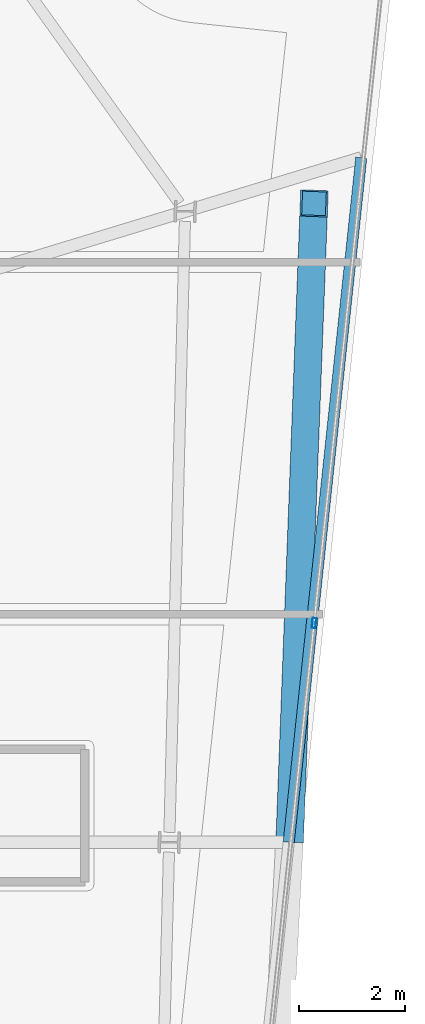
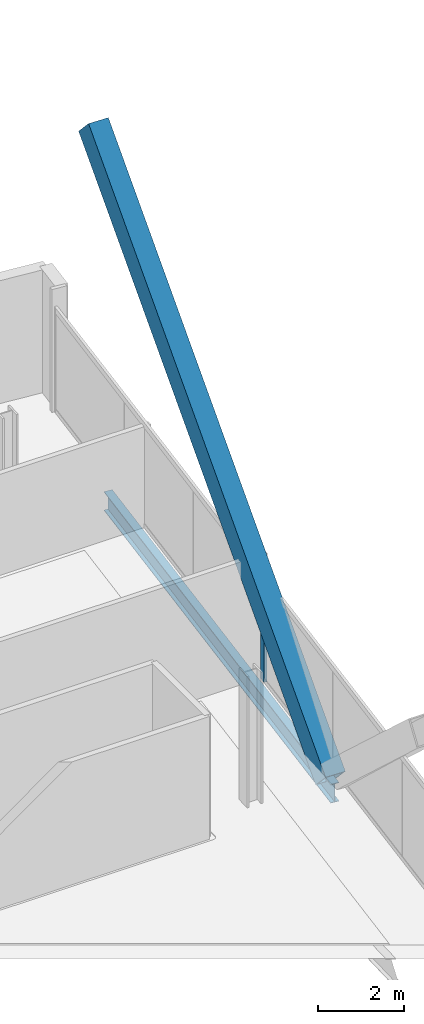
# One storey, part 11 of 24: 2 members, 1 beam, 1 element without a shape of its own.
"""IFC4 building model written with IfcOpenShell, lengths in metres."""

from ifc_helpers import new_model, si_unit, direction, frame, origin, origin_2d, place, context, subcontext, project, spatial, hollow_rectangle, i_section, extrude, material, material_profile, profile_set, type_object, element, aggregate, save


model = new_model("IFC4")

# Units and contexts
model_context = context("Model", 3, precision=1e-05, world=origin(), true_north=direction((0.0, 1.0)))
body_context = subcontext(model_context, "Body", "Model", "MODEL_VIEW")
ifc_project = project(units=[si_unit("LENGTHUNIT", "METRE"), si_unit("AREAUNIT", "SQUARE_METRE"), si_unit("VOLUMEUNIT", "CUBIC_METRE"), si_unit("PLANEANGLEUNIT", "RADIAN"), si_unit("MASSUNIT", "GRAM", prefix="KILO")], contexts=[model_context])

# Site, building, storey
site_placement = place(None, origin())
site = spatial("IfcSite", under=ifc_project, at=site_placement, CompositionType="ELEMENT")
building_placement = place(site_placement, origin())
building = spatial("IfcBuilding", under=site, at=building_placement, Name="Haldenkirk Collegiate Tower", CompositionType="ELEMENT")
storey_placement = place(building_placement, frame((0.0, 0.0, 310.199951171875)))
storey = spatial("IfcBuildingStorey", under=building, at=storey_placement, Name="L78", CompositionType="ELEMENT", Elevation=310.199951171875)

# Beam
ifc_material_1 = material(Name="Steel ASTM A992 Grade 50", Category="steel")
ifc_material_profile_1 = material_profile(ifc_material_1, i_section(OverallWidth=0.2099609375, OverallDepth=0.537109375, WebThickness=0.010986328125, FlangeThickness=0.017333984375, at=origin_2d()), Name="W21X68")
ifc_profile_set_1 = profile_set([ifc_material_profile_1], Name="Steel ASTM A992 Grade 50")
beam_type = type_object("IfcBeamType", Name="BM-SPANDREL-W21X68", PredefinedType="SPANDREL", material=ifc_profile_set_1)
beam_placement = place(storey_placement, frame((58.150390625, 25.496337890625, -0.528564453125), z_axis=(0.105380968542, 0.994431923999, 0.0), x_axis=(-0.994431923999, 0.105380968542, 0.0)))
element("IfcBeam", 1, at=beam_placement, inside=storey, type_object=beam_type, Name="L78 outer facade edge beam 1B", PredefinedType="SPANDREL", context=body_context, shape_type="SweptSolid", body=[
    extrude(i_section(OverallWidth=0.2099609375, OverallDepth=0.537109375, WebThickness=0.010986328125, FlangeThickness=0.017333984375, at=origin_2d()), origin(), (0.0, 0.0, 1.0), 12.996826171875),
])

# Curtain wall, member
ifc_material_2 = material(Name="Anodised architectural bronze aluminium", Category="aluminium")
curtain_wall_type = type_object("IfcCurtainWallType", Name="CW-SYS2-CONCAVE", PredefinedType="USERDEFINED", material=ifc_material_2)
curtain_wall_placement = place(storey_placement, origin())
curtain_wall = element("IfcCurtainWall", 2, at=curtain_wall_placement, inside=storey, type_object=curtain_wall_type, Name="L78 South concave recessed bronze-anodised curtain wall", ObjectType="UNITISED CURTAIN WALL", PredefinedType="USERDEFINED")
ifc_material_profile_2 = material_profile(ifc_material_2, hollow_rectangle(XDim=0.074951171875, YDim=0.18994140625, WallThickness=0.0048828125, at=origin_2d()), Name="CW-MUL-02")
ifc_profile_set_2 = profile_set([ifc_material_profile_2], Name="Anodised architectural bronze aluminium")
member_type_1 = type_object("IfcMemberType", Name="CW-MUL-02", PredefinedType="MULLION", material=ifc_profile_set_2)
member_1_placement = place(storey_placement, frame((58.629150390625, 29.63525390625, 0.0), z_axis=(0.0, 0.0, 1.0), x_axis=(0.994430496515, -0.105394438184, 0.0)))
member_1 = element("IfcMember", 3, at=member_1_placement, type_object=member_type_1, Name="CW-02 mullion 2", PredefinedType="MULLION", context=body_context, shape_type="SweptSolid", body=[
    extrude(hollow_rectangle(XDim=0.074951171875, YDim=0.18994140625, WallThickness=0.0048828125, at=origin_2d()), origin(), (0.0, 0.0, 1.0), 2.947998046875),
])
aggregate(curtain_wall, [member_1])

# Member
ifc_material_3 = material(Name="Steel ASTM A572 Grade 50", Category="steel")
ifc_material_profile_3 = material_profile(ifc_material_3, hollow_rectangle(XDim=0.52001953125, YDim=0.719970703125, WallThickness=0.035888671875, at=origin_2d()), Name="BOX720X520X36")
ifc_profile_set_3 = profile_set([ifc_material_profile_3], Name="Steel ASTM A572 Grade 50")
member_type_2 = type_object("IfcMemberType", Name="MBR-MEGABRACE-BOX720X520X36", PredefinedType="BRACE", material=ifc_profile_set_3)
member_2_placement = place(storey_placement, frame((58.176513671875, 25.743896484375, -0.27001953125), z_axis=(0.027645377516, 0.723910965035, 0.68933928352), x_axis=(-0.99927159984, 0.038161102612, 0.0)))
element("IfcMember", 4, at=member_2_placement, inside=storey, type_object=member_type_2, Name="Perimeter Mega Brace Z6 L78-L80 SR", PredefinedType="BRACE", context=body_context, shape_type="SweptSolid", body=[
    extrude(hollow_rectangle(XDim=0.52001953125, YDim=0.719970703125, WallThickness=0.035888671875, at=origin_2d()), origin(), (0.0, 0.0, 1.0), 16.320068359375),
])

save(model, "model.ifc")
